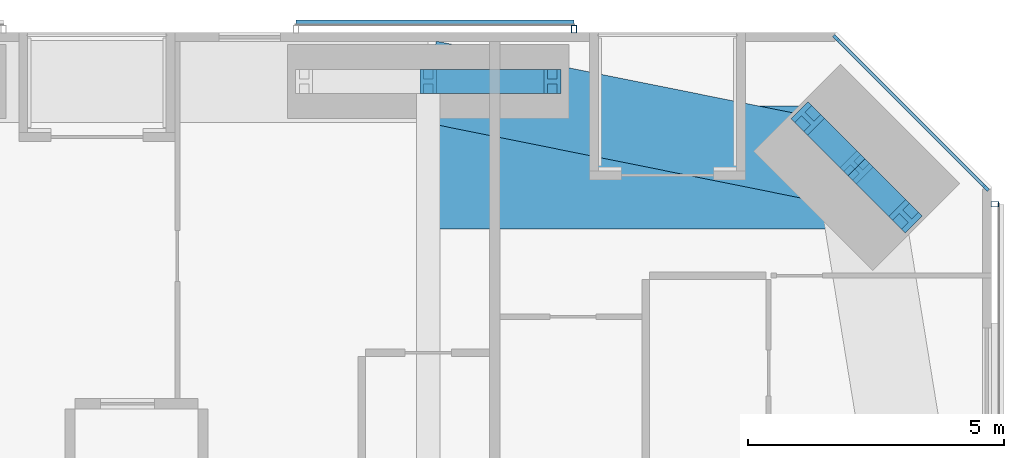
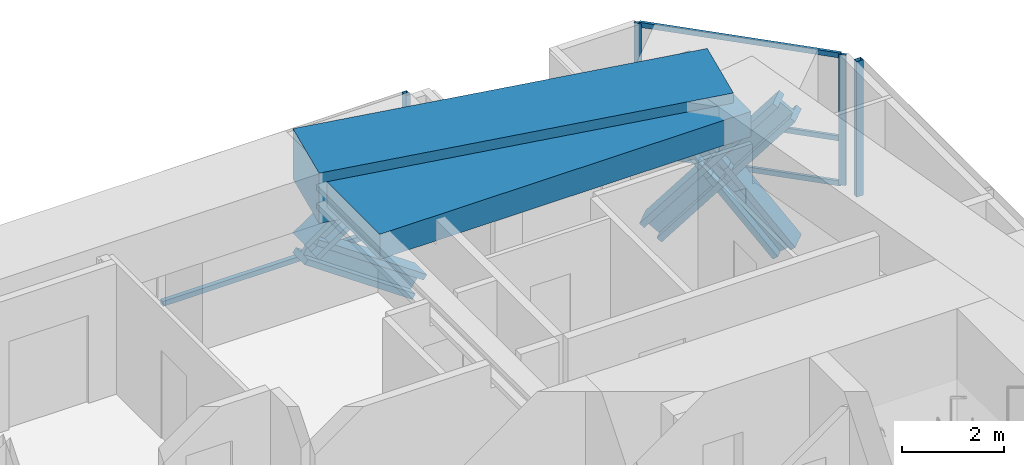
# One storey, part 15 of 24: 14 members, 2 beams, 3 elements without a shape of their own.
"""IFC4 building model written with IfcOpenShell, lengths in metres."""

from ifc_helpers import new_model, si_unit, direction, frame, origin, origin_2d, place, context, subcontext, project, spatial, rectangle, hollow_rectangle, i_section, extrude, material, material_profile, profile_set, type_object, element, aggregate, save


model = new_model("IFC4")

# Units and contexts
model_context = context("Model", 3, precision=1e-05, world=origin(), true_north=direction((0.0, 1.0)))
body_context = subcontext(model_context, "Body", "Model", "MODEL_VIEW")
ifc_project = project(units=[si_unit("LENGTHUNIT", "METRE"), si_unit("AREAUNIT", "SQUARE_METRE"), si_unit("VOLUMEUNIT", "CUBIC_METRE"), si_unit("PLANEANGLEUNIT", "RADIAN"), si_unit("MASSUNIT", "GRAM", prefix="KILO")], contexts=[model_context])

# Site, building, storey
site_placement = place(None, origin())
site = spatial("IfcSite", under=ifc_project, at=site_placement, CompositionType="ELEMENT")
building_placement = place(site_placement, origin())
building = spatial("IfcBuilding", under=site, at=building_placement, Name="Jalousie Tower", CompositionType="ELEMENT")
storey_placement = place(building_placement, frame((0.0, 0.0, 47.800048828125)))
storey = spatial("IfcBuildingStorey", under=building, at=storey_placement, Name="L12", CompositionType="ELEMENT", Elevation=47.800048828125)

# Curtain wall, members
ifc_material_1 = material(Name="Aluminium curtain wall", Category="aluminium")
curtain_wall_type_1 = type_object("IfcCurtainWallType", Name="CORNER WINDOW WALL", PredefinedType="USERDEFINED", material=ifc_material_1)
curtain_wall_1_placement = place(storey_placement, origin())
curtain_wall_1 = element("IfcCurtainWall", 1, at=curtain_wall_1_placement, inside=storey, type_object=curtain_wall_type_1, Name="Corner Window Wall L12 4", ObjectType="CORNER WINDOW WALL", PredefinedType="USERDEFINED")
ifc_material_2 = material(Name="Aluminium mullion", Category="aluminium")
ifc_material_profile_1 = material_profile(ifc_material_2, rectangle(XDim=0.06005859375, YDim=0.14990234375, at=origin_2d()), Name="MULLION 60x150")
ifc_profile_set_1 = profile_set([ifc_material_profile_1], Name="Aluminium mullion")
member_type_1 = type_object("IfcMemberType", Name="CORNER WINDOW WALL MULLION", PredefinedType="MULLION", material=ifc_profile_set_1)
member_1_placement = place(storey_placement, frame((45.891357421875, 34.969970703125, 0.0), z_axis=(0.0, 0.0, 1.0), x_axis=(-0.707106781187, -0.707106781187, 0.0)))
member_1 = element("IfcMember", 2, at=member_1_placement, type_object=member_type_1, Name="CW-C mullion 1", PredefinedType="MULLION", context=body_context, shape_type="SweptSolid", body=[
    extrude(rectangle(XDim=0.06005859375, YDim=0.14990234375, at=origin_2d()), origin(), (0.0, 0.0, 1.0), 3.10986328125),
])
member_2_placement = place(storey_placement, frame((42.969970703125, 37.891357421875, 0.0), z_axis=(0.0, 0.0, 1.0), x_axis=(-0.707106781187, -0.707106781187, 0.0)))
member_2 = element("IfcMember", 3, at=member_2_placement, type_object=member_type_1, Name="CW-C mullion 2", PredefinedType="MULLION", context=body_context, shape_type="SweptSolid", body=[
    extrude(rectangle(XDim=0.06005859375, YDim=0.14990234375, at=origin_2d()), origin(), (0.0, 0.0, 1.0), 3.10986328125),
])
ifc_material_3 = material(Name="Aluminium transom", Category="aluminium")
ifc_material_profile_2 = material_profile(ifc_material_3, rectangle(XDim=0.06005859375, YDim=0.1201171875, at=origin_2d()), Name="TRANSOM 60x120")
ifc_profile_set_2 = profile_set([ifc_material_profile_2], Name="Aluminium transom")
member_type_2 = type_object("IfcMemberType", Name="CORNER WINDOW WALL TRANSOM", PredefinedType="USERDEFINED", material=ifc_profile_set_2)
member_3_placement = place(storey_placement, frame((45.8701171875, 34.9912109375, 0.030029296875), z_axis=(-0.707106781187, 0.707106781187, 0.0), x_axis=(-0.707106781187, -0.707106781187, 0.0)))
member_3 = element("IfcMember", 4, at=member_3_placement, type_object=member_type_2, Name="CW-C transom 1.1", ObjectType="TRANSOM", PredefinedType="USERDEFINED", context=body_context, shape_type="SweptSolid", body=[
    extrude(rectangle(XDim=0.06005859375, YDim=0.1201171875, at=origin_2d()), origin(), (0.0, 0.0, 1.0), 4.0712890625),
])
member_4_placement = place(storey_placement, frame((45.8701171875, 34.9912109375, 1.099853515625), z_axis=(-0.707106781187, 0.707106781187, 0.0), x_axis=(-0.707106781187, -0.707106781187, 0.0)))
member_4 = element("IfcMember", 5, at=member_4_placement, type_object=member_type_2, Name="CW-C transom 1.2", ObjectType="TRANSOM", PredefinedType="USERDEFINED", context=body_context, shape_type="SweptSolid", body=[
    extrude(rectangle(XDim=0.06005859375, YDim=0.1201171875, at=origin_2d()), origin(), (0.0, 0.0, 1.0), 4.0712890625),
])
member_5_placement = place(storey_placement, frame((45.8701171875, 34.9912109375, 3.079833984375), z_axis=(-0.707106781187, 0.707106781187, 0.0), x_axis=(-0.707106781187, -0.707106781187, 0.0)))
member_5 = element("IfcMember", 6, at=member_5_placement, type_object=member_type_2, Name="CW-C transom 1.3", ObjectType="TRANSOM", PredefinedType="USERDEFINED", context=body_context, shape_type="SweptSolid", body=[
    extrude(rectangle(XDim=0.06005859375, YDim=0.1201171875, at=origin_2d()), origin(), (0.0, 0.0, 1.0), 4.0712890625),
])
aggregate(curtain_wall_1, [member_1, member_2, member_3, member_4, member_5])

# Members
ifc_material_4 = material(Name="Steel ASTM A992 Grade 50", Category="steel")
ifc_material_profile_3 = material_profile(ifc_material_4, i_section(OverallWidth=0.472412109375, OverallDepth=0.5791015625, WebThickness=0.094970703125, FlangeThickness=0.1298828125, at=origin_2d()), Name="W14X808")
ifc_profile_set_3 = profile_set([ifc_material_profile_3], Name="Steel ASTM A992 Grade 50")
member_type_3 = type_object("IfcMemberType", Name="PERIMETER BRACE W14X808", PredefinedType="BRACE", material=ifc_profile_set_3)
for number, where, z_axis, x_axis, name in (
    (7, (44.3232421875, 34.4140625, -0.60009765625), (-0.443718327034, 0.443718327034, 0.778606506849), (-0.707106781187, -0.707106781187, 0.0), "Perimeter brace 08 L12 part 1"),
    (8, (43.36865234375, 35.36865234375, 1.074951171875), (-0.443718327034, 0.443718327034, 0.778606506849), (-0.707106781187, -0.707106781187, 0.0), "Perimeter brace 08 L12 part 2"),
    (9, (42.4140625, 36.3232421875, -0.60009765625), (0.443718327034, -0.443718327034, 0.778606506849), (0.707106781187, 0.707106781187, 0.0), "Perimeter brace 08 L12 part 3"),
    (10, (43.36865234375, 35.36865234375, 1.074951171875), (0.443718327034, -0.443718327034, 0.778606506849), (0.707106781187, 0.707106781187, 0.0), "Perimeter brace 08 L12 part 4"),
):
    element("IfcMember", number, at=place(storey_placement, frame(where, z_axis=z_axis, x_axis=x_axis)), inside=storey, type_object=member_type_3, Name=name, PredefinedType="BRACE", context=body_context, shape_type="SweptSolid", body=[
        extrude(i_section(OverallWidth=0.472412109375, OverallDepth=0.5791015625, WebThickness=0.094970703125, FlangeThickness=0.1298828125, at=origin_2d()), origin(), (0.0, 0.0, 1.0), 2.1513671875),
    ])
for number, where, z_axis, x_axis, name in (
    (11, (35.0, 37.050048828125, 1.074951171875), (0.822800062329, 0.0, 0.568330940062), (0.0, 1.0, 0.0), "Perimeter brace 09 L12 part 2"),
    (12, (37.425048828125, 37.050048828125, -0.60009765625), (-0.822800062329, 0.0, 0.568330940062), (0.0, -1.0, 0.0), "Perimeter brace 09 L12 part 3"),
):
    element("IfcMember", number, at=place(storey_placement, frame(where, z_axis=z_axis, x_axis=x_axis)), inside=storey, type_object=member_type_3, Name=name, PredefinedType="BRACE", context=body_context, shape_type="SweptSolid", body=[
        extrude(i_section(OverallWidth=0.472412109375, OverallDepth=0.5791015625, WebThickness=0.094970703125, FlangeThickness=0.1298828125, at=origin_2d()), origin(), (0.0, 0.0, 1.0), 2.947265625),
    ])

# Beams
ifc_material_5 = material(Name="Concrete f'c 40 MPa", Category="concrete")
ifc_material_profile_4 = material_profile(ifc_material_5, rectangle(XDim=1.60009765625, YDim=1.199951171875, at=origin_2d()), Name="RC 1600x1200")
ifc_profile_set_4 = profile_set([ifc_material_profile_4], Name="Concrete f'c 40 MPa")
beam_type_1 = type_object("IfcBeamType", Name="RC BEAM 1600x1200", PredefinedType="BEAM", material=ifc_profile_set_4)
beam_1_placement = place(storey_placement, frame((43.36865234375, 35.36865234375, 2.75), z_axis=(-0.980407585444, 0.196979609107, 0.0), x_axis=(-0.196979609107, -0.980407585444, 0.0)))
element("IfcBeam", 13, at=beam_1_placement, inside=storey, type_object=beam_type_1, Name="Edge band beam 08-09 under L13", PredefinedType="BEAM", context=body_context, shape_type="SweptSolid", body=[
    extrude(rectangle(XDim=1.60009765625, YDim=1.199951171875, at=origin_2d()), origin(), (0.0, 0.0, 1.0), 8.535888671875),
])
ifc_material_6 = material(Name="Concrete f'c 40 MPa", Category="concrete")
ifc_material_profile_5 = material_profile(ifc_material_6, rectangle(XDim=2.39990234375, YDim=0.60009765625, at=origin_2d()), Name="RC 2400x600")
ifc_profile_set_5 = profile_set([ifc_material_profile_5], Name="Concrete f'c 40 MPa")
beam_type_2 = type_object("IfcBeamType", Name="RC BEAM 2400x600", PredefinedType="BEAM", material=ifc_profile_set_5)
beam_2_placement = place(storey_placement, frame((43.36865234375, 35.36865234375, 2.81005859375), z_axis=(-1.0, 0.0, 0.0), x_axis=(0.0, -1.0, 0.0)))
element("IfcBeam", 14, at=beam_2_placement, inside=storey, type_object=beam_type_2, Name="Floor band beam under L13", PredefinedType="BEAM", context=body_context, shape_type="SweptSolid", body=[
    extrude(rectangle(XDim=2.39990234375, YDim=0.60009765625, at=origin_2d()), origin(), (0.0, 0.0, 1.0), 8.36865234375),
])

# Curtain wall, member
ifc_material_7 = material(Name="Perforated aluminium sheet", Category="aluminium")
curtain_wall_type_2 = type_object("IfcCurtainWallType", Name="SOLAR SCREEN SS-1", PredefinedType="USERDEFINED", material=ifc_material_7)
curtain_wall_2_placement = place(storey_placement, origin())
curtain_wall_2 = element("IfcCurtainWall", 15, at=curtain_wall_2_placement, inside=storey, type_object=curtain_wall_type_2, Name="Solar screen L12", ObjectType="SOLAR SCREEN SS-1", PredefinedType="USERDEFINED")
ifc_material_8 = material(Name="Steel ASTM A500 Grade C", Category="steel")
ifc_material_profile_6 = material_profile(ifc_material_8, hollow_rectangle(XDim=0.1015625, YDim=0.15234375, WallThickness=0.00634765625, at=origin_2d()), Name="HSS6X4X1/4")
ifc_profile_set_6 = profile_set([ifc_material_profile_6], Name="Steel ASTM A500 Grade C")
member_type_4 = type_object("IfcMemberType", Name="SOLAR SCREEN SS-1 MULLION", PredefinedType="MULLION", material=ifc_profile_set_6)
member_6_placement = place(storey_placement, frame((46.0712890625, 34.648681640625, -0.1201171875), z_axis=(0.0, 0.0, 1.0), x_axis=(0.0, 1.0, 0.0)))
member_6 = element("IfcMember", 16, at=member_6_placement, type_object=member_type_4, Name="SS1 post 4", PredefinedType="MULLION", context=body_context, shape_type="SweptSolid", body=[
    extrude(hollow_rectangle(XDim=0.1015625, YDim=0.15234375, WallThickness=0.00634765625, at=origin_2d()), origin(), (0.0, 0.0, 1.0), 3.22998046875),
])
aggregate(curtain_wall_2, [member_6])

# Curtain wall, members
curtain_wall_3_placement = place(storey_placement, origin())
curtain_wall_3 = element("IfcCurtainWall", 17, at=curtain_wall_3_placement, inside=storey, type_object=curtain_wall_type_2, Name="Solar screen L12", ObjectType="SOLAR SCREEN SS-1", PredefinedType="USERDEFINED")
member_7_placement = place(storey_placement, frame((37.8486328125, 38.0712890625, -0.1201171875), z_axis=(0.0, 0.0, 1.0), x_axis=(-1.0, 0.0, 0.0)))
member_7 = element("IfcMember", 18, at=member_7_placement, type_object=member_type_4, Name="SS1 post 1", PredefinedType="MULLION", context=body_context, shape_type="SweptSolid", body=[
    extrude(hollow_rectangle(XDim=0.1015625, YDim=0.15234375, WallThickness=0.00634765625, at=origin_2d()), origin(), (0.0, 0.0, 1.0), 3.22998046875),
])
ifc_material_9 = material(Name="Extruded aluminium screen rail", Category="aluminium")
ifc_material_profile_7 = material_profile(ifc_material_9, rectangle(XDim=0.1015625, YDim=0.1201171875, at=origin_2d()), Name="RAIL 102x120")
ifc_profile_set_7 = profile_set([ifc_material_profile_7], Name="Extruded aluminium screen rail")
member_type_5 = type_object("IfcMemberType", Name="SOLAR SCREEN SS-1 TRANSOM", PredefinedType="USERDEFINED", material=ifc_profile_set_7)
member_8_placement = place(storey_placement, frame((37.8486328125, 38.1982421875, -0.06005859375), z_axis=(-1.0, 0.0, 0.0), x_axis=(0.0, -1.0, 0.0)))
member_8 = element("IfcMember", 19, at=member_8_placement, type_object=member_type_5, Name="SS1 rail", ObjectType="TRANSOM", PredefinedType="USERDEFINED", context=body_context, shape_type="SweptSolid", body=[
    extrude(rectangle(XDim=0.1015625, YDim=0.1201171875, at=origin_2d()), origin(), (0.0, 0.0, 1.0), 5.43359375),
])
aggregate(curtain_wall_3, [member_7, member_8])

save(model, "model.ifc")
